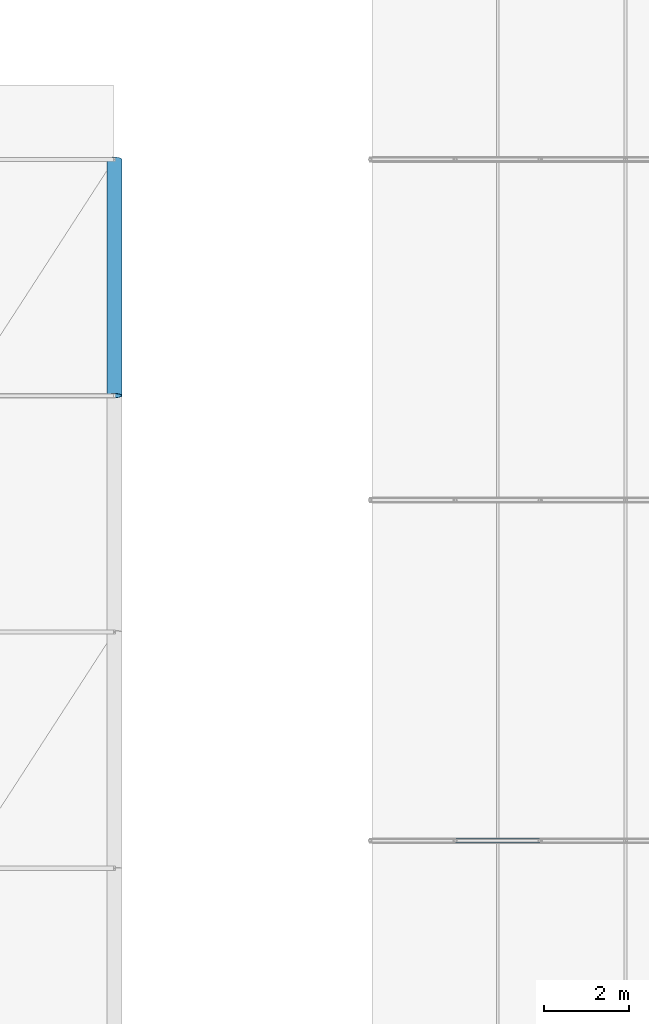
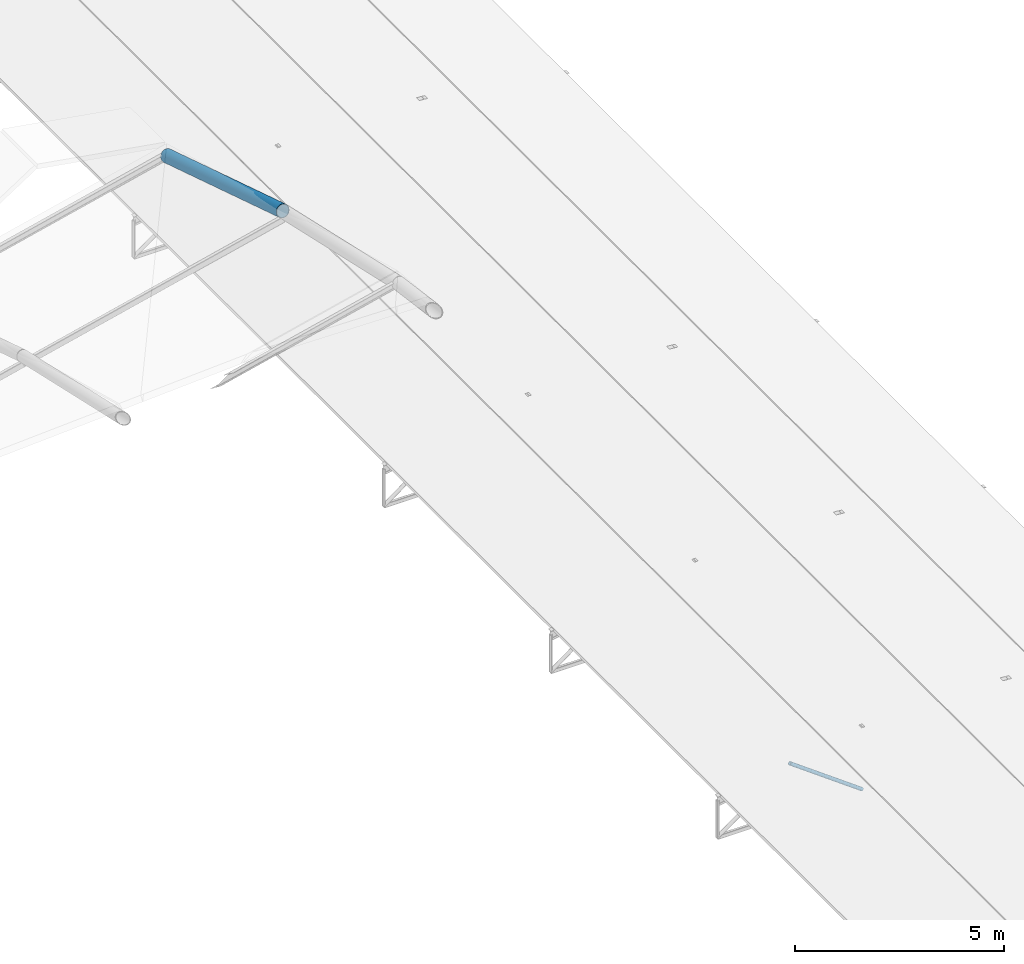
# One storey, part 22 of 54: 2 members.
"""IFC4 building model written with IfcOpenShell, lengths in metres."""

from ifc_helpers import new_model, si_unit, derived_unit, direction, frame, origin, origin_2d, place, context, subcontext, project, spatial, hollow_circle, extrude, material, material_profile, profile_set, type_object, element, save


model = new_model("IFC4")

# Units and contexts
model_context = context("Model", 3, precision=1e-05, world=origin(), true_north=direction((0.0, 1.0)))
body_context = subcontext(model_context, "Body", "Model", "MODEL_VIEW")
ifc_project = project(units=[si_unit("LENGTHUNIT", "METRE"), si_unit("AREAUNIT", "SQUARE_METRE"), si_unit("VOLUMEUNIT", "CUBIC_METRE"), si_unit("PLANEANGLEUNIT", "RADIAN"), si_unit("MASSUNIT", "GRAM", prefix="KILO"), derived_unit("THERMALTRANSMITTANCEUNIT", [(si_unit("POWERUNIT", "WATT"), 1), (si_unit("LENGTHUNIT", "METRE"), -2), (si_unit("THERMODYNAMICTEMPERATUREUNIT", "KELVIN"), -1)])], contexts=[model_context])

# Site, building, storey
site_placement = place(None, origin())
site = spatial("IfcSite", under=ifc_project, at=site_placement, CompositionType="ELEMENT")
building_placement = place(site_placement, origin())
building = spatial("IfcBuilding", under=site, at=building_placement, Name="Keldorne Ridge Multi-Sports Centre", CompositionType="ELEMENT")
storey_placement = place(building_placement, frame((0.0, 0.0, 22.199951171875)))
storey = spatial("IfcBuildingStorey", under=building, at=storey_placement, Name="ROOF", CompositionType="ELEMENT", Elevation=22.199951171875)

# Members
ifc_material = material(Name="Steel S355", Category="steel")
ifc_material_profile_1 = material_profile(ifc_material, hollow_circle(Radius=0.177734375, WallThickness=0.01611328125, at=origin_2d()), Name="CHS 355.6x16")
ifc_profile_set_1 = profile_set([ifc_material_profile_1], Name="Steel S355")
member_type_1 = type_object("IfcMemberType", Name="MEM-TC-01", PredefinedType="CHORD", material=ifc_profile_set_1)
member_1_placement = place(storey_placement, frame((78.0, 48.449951171875, 0.3701171875), z_axis=(0.0, 0.953713189214, -0.300717729305), x_axis=(-1.0, 0.0, 0.0)))
element("IfcMember", 1, at=member_1_placement, inside=storey, type_object=member_type_1, Name="Main Hall ROOF TRUSS AT-11 top chord 8", PredefinedType="CHORD", context=body_context, shape_type="SweptSolid", body=[
    extrude(hollow_circle(Radius=0.177734375, WallThickness=0.01611328125, at=origin_2d()), origin(), (0.0, 0.0, 1.0), 5.8193359375),
])
ifc_material_profile_2 = material_profile(ifc_material, hollow_circle(Radius=0.05078125, WallThickness=0.00634765625, at=origin_2d()), Name="CHS 101.6x6.3")
ifc_profile_set_2 = profile_set([ifc_material_profile_2], Name="Steel S355")
member_type_2 = type_object("IfcMemberType", Name="MEM-TD-05", PredefinedType="BRACE", material=ifc_profile_set_2)
member_2_placement = place(storey_placement, frame((86.0, 38.0, -12.260009765625), z_axis=(0.8076945033, 0.0, -0.589601212125), x_axis=(0.0, 1.0, 0.0)))
element("IfcMember", 2, at=member_2_placement, inside=storey, type_object=member_type_2, Name="Public Passage bowstring web diagonal 05.2", PredefinedType="BRACE", context=body_context, shape_type="SweptSolid", body=[
    extrude(hollow_circle(Radius=0.05078125, WallThickness=0.00634765625, at=origin_2d()), origin(), (0.0, 0.0, 1.0), 2.47607421875),
])

save(model, "model.ifc")
